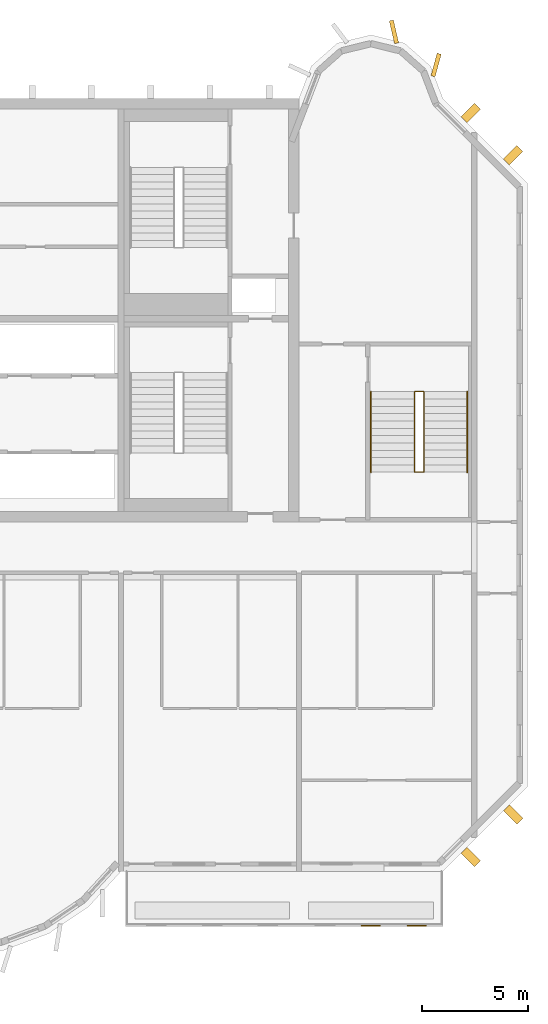
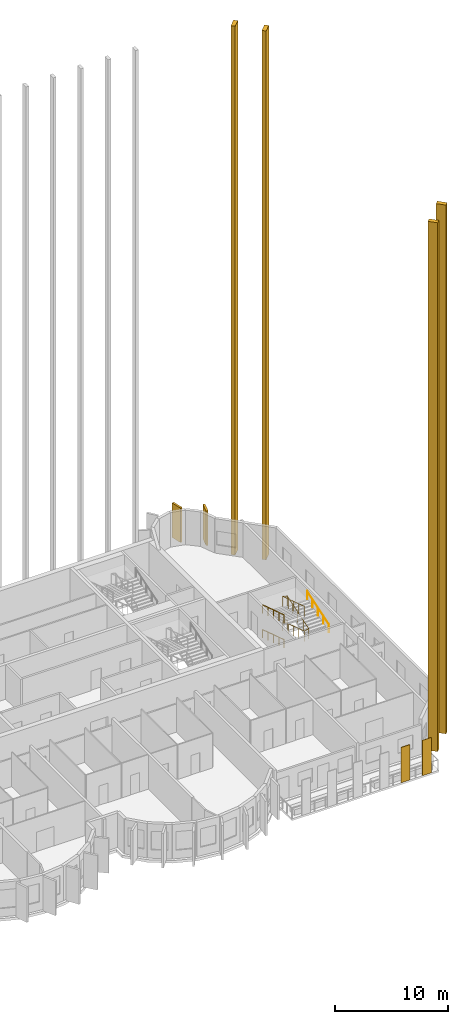
# One storey, part 12 of 13: 8 coverings, 4 railings.
"""IFC4 building model written with IfcOpenShell, lengths in metres."""

from ifc_helpers import new_model, si_unit, direction, frame, origin, origin_2d, place, context, subcontext, project, spatial, rectangle, circle, extrude, source, transform, mapped, material, layer, layer_set, material_profile, profile_set, type_object, element, save


model = new_model("IFC4")

# Units and contexts
model_context = context("Model", 3, precision=1e-05, world=origin(), true_north=direction((0.0, 1.0)))
body_context = subcontext(model_context, "Body", "Model", "MODEL_VIEW")
ifc_project = project(units=[si_unit("LENGTHUNIT", "METRE"), si_unit("AREAUNIT", "SQUARE_METRE"), si_unit("VOLUMEUNIT", "CUBIC_METRE"), si_unit("PLANEANGLEUNIT", "RADIAN"), si_unit("MASSUNIT", "GRAM", prefix="KILO")], contexts=[model_context])

# Site, building, storey
site_placement = place(None, origin())
site = spatial("IfcSite", under=ifc_project, at=site_placement, CompositionType="ELEMENT")
building_placement = place(site_placement, origin())
building = spatial("IfcBuilding", under=site, at=building_placement, Name="Vanashikhar Sky Hotel", CompositionType="ELEMENT")
storey_placement = place(building_placement, frame((0.0, 0.0, 277.699951171875)))
storey = spatial("IfcBuildingStorey", under=building, at=storey_placement, Name="L66", CompositionType="ELEMENT", Elevation=277.699951171875)

# Coverings
ifc_material_1 = material(Name="Terracotta", Category="masonry")
ifc_layer = layer(ifc_material_1, 0.06005859375)
ifc_layer_set = layer_set([ifc_layer], Name="Terracotta baguette screen")
covering_type_1 = type_object("IfcCoveringType", Name="Terracotta baguette screen", PredefinedType="CLADDING", material=ifc_layer_set)
shared_shape_1 = source(origin(), body_context, "Body", "SweptSolid", [
    extrude(rectangle(XDim=0.89990234375, YDim=0.06005859375, at=origin_2d()), origin(), (0.0, 0.0, 1.0), 3.800048828125),
])
for number, where, z_axis, x_axis, name in (
    (1, (79.0, 2.929931640625, -0.0498046875), (0.0, 0.0, 1.0), (1.0, 0.0, 0.0), "Terracotta screen"),
    (2, (81.166748046875, 2.929931640625, -0.0498046875), (0.0, 0.0, 1.0), (1.0, 0.0, 0.0), "Terracotta screen"),
):
    element("IfcCovering", number, at=place(storey_placement, frame(where, z_axis=z_axis, x_axis=x_axis)), inside=storey, type_object=covering_type_1, Name=name, PredefinedType="CLADDING", context=body_context, shape_type="MappedRepresentation", body=[
        mapped(shared_shape_1, transform((0.0, 0.0, 0.0), scale=1.0)),
    ])
ifc_material_2 = material(Name="Concrete M60 dark", Category="concrete")
ifc_material_profile_1 = material_profile(ifc_material_2, rectangle(XDim=1.10009765625, YDim=0.199951171875, at=origin_2d()))
ifc_profile_set_1 = profile_set([ifc_material_profile_1], Name="Rear lobe fin 1100 x 200")
covering_type_2 = type_object("IfcCoveringType", Name="Rear lobe fin 1100 x 200", PredefinedType="CLADDING", material=ifc_profile_set_1)
shared_shape_2 = source(origin(), body_context, "Body", "SweptSolid", [
    extrude(rectangle(XDim=1.10009765625, YDim=0.199951171875, at=origin_2d()), origin(), (0.0, 0.0, 1.0), 3.719970703125),
])
for number, where, z_axis, x_axis, name in (
    (3, (80.08984375, 45.1455078125, 0.0), (0.0, 0.0, 1.0), (-0.224644935864, 0.974440687159, 0.0), "Fin R2-3"),
    (4, (82.0791015625, 43.580078125, 0.0), (0.0, 0.0, 1.0), (0.262711264409, 0.964874495234, 0.0), "Fin R2-4"),
):
    element("IfcCovering", number, at=place(storey_placement, frame(where, z_axis=z_axis, x_axis=x_axis)), inside=storey, type_object=covering_type_2, Name=name, PredefinedType="CLADDING", context=body_context, shape_type="MappedRepresentation", body=[
        mapped(shared_shape_2, transform((0.0, 0.0, 0.0), scale=1.0)),
    ])
ifc_material_profile_2 = material_profile(ifc_material_2, rectangle(XDim=0.89990234375, YDim=0.39990234375, at=origin_2d()))
ifc_profile_set_2 = profile_set([ifc_material_profile_2], Name="Chamfer fin 900 x 400")
covering_type_3 = type_object("IfcCoveringType", Name="Chamfer fin 900 x 400", PredefinedType="CLADDING", material=ifc_profile_set_2)
shared_shape_3 = source(origin(), body_context, "Body", "SweptSolid", [
    extrude(rectangle(XDim=0.89990234375, YDim=0.39990234375, at=origin_2d()), origin(), (0.0, 0.0, 1.0), 57.0),
])
for number, where, z_axis, x_axis, name in (
    (5, (83.71826171875, 6.181884765625, -0.280029296875), (0.0, 0.0, 1.0), (0.707106781187, -0.707106781187, 0.0), "Chamfer fin"),
    (6, (85.71826171875, 8.181884765625, -0.280029296875), (0.0, 0.0, 1.0), (0.707106781187, -0.707106781187, 0.0), "Chamfer fin"),
    (7, (85.71826171875, 39.318115234375, -0.280029296875), (0.0, 0.0, 1.0), (0.707106781187, 0.707106781187, 0.0), "Chamfer fin"),
    (8, (83.71826171875, 41.318115234375, -0.280029296875), (0.0, 0.0, 1.0), (0.707106781187, 0.707106781187, 0.0), "Chamfer fin"),
):
    element("IfcCovering", number, at=place(storey_placement, frame(where, z_axis=z_axis, x_axis=x_axis)), inside=storey, type_object=covering_type_3, Name=name, PredefinedType="CLADDING", context=body_context, shape_type="MappedRepresentation", body=[
        mapped(shared_shape_3, transform((0.0, 0.0, 0.0), scale=1.0)),
    ])

# Railings
ifc_material_3 = material(Name="Steel S355", Category="steel")
railing_type_1 = type_object("IfcRailingType", Name="Stair guard 1100", PredefinedType="GUARDRAIL", material=ifc_material_3)
shared_shape_4 = source(origin(), body_context, "Body", "SweptSolid", [
    extrude(circle(Radius=0.02392578125, at=origin_2d()), frame((0.0, 0.0, 1.076171875), z_axis=(-0.970851010584, 0.0, 0.239683781777), x_axis=(0.0, -1.0, 0.0)), (0.0, 0.0, 1.0), 0.46337890625),
    extrude(circle(Radius=0.02392578125, at=origin_2d()), frame((-0.449951171875, 0.0, 1.18701171875), z_axis=(0.0, -0.951952165375, 0.306246754821), x_axis=(1.0, 0.0, 0.0)), (0.0, 0.0, 1.0), 3.99169921875),
    extrude(circle(Radius=0.02392578125, at=origin_2d()), frame((-0.449951171875, -3.7998046875, 2.40966796875), z_axis=(0.970851010584, 0.0, 0.239683781777), x_axis=(0.0, 1.0, 0.0)), (0.0, 0.0, 1.0), 0.46337890625),
    extrude(circle(Radius=0.02392578125, at=origin_2d()), frame((0.0, -3.7998046875, 2.5205078125), z_axis=(0.0, 0.951969995293, 0.306191325908), x_axis=(-1.0, 0.0, 0.0)), (0.0, 0.0, 1.0), 3.991455078125),
    extrude(circle(Radius=0.02392578125, at=origin_2d()), frame((0.0, 0.0, 3.74267578125), z_axis=(-0.970851010584, 0.0, 0.239683781777), x_axis=(0.0, -1.0, 0.0)), (0.0, 0.0, 1.0), 0.46337890625),
    extrude(circle(Radius=0.02392578125, at=origin_2d()), frame((-0.449951171875, 0.0, 3.85400390625), z_axis=(0.0, -0.951969995293, 0.306191325908), x_axis=(1.0, 0.0, 0.0)), (0.0, 0.0, 1.0), 3.991455078125),
    extrude(circle(Radius=0.02099609375, at=origin_2d()), origin(), (0.0, 0.0, 1.0), 1.052001953125),
    extrude(circle(Radius=0.02099609375, at=origin_2d()), frame((-0.449951171875, 0.0, 0.111083984375)), (0.0, 0.0, 1.0), 1.052001953125),
    extrude(circle(Radius=0.02099609375, at=origin_2d()), frame((-0.449951171875, -0.949951171875, 0.416748046875)), (0.0, 0.0, 1.0), 1.052001953125),
    extrude(circle(Radius=0.02099609375, at=origin_2d()), frame((-0.449951171875, -1.89990234375, 0.72216796875)), (0.0, 0.0, 1.0), 1.052001953125),
    extrude(circle(Radius=0.02099609375, at=origin_2d()), frame((-0.449951171875, -2.849853515625, 1.02783203125)), (0.0, 0.0, 1.0), 1.052001953125),
    extrude(circle(Radius=0.02099609375, at=origin_2d()), frame((-0.449951171875, -3.7998046875, 1.33349609375)), (0.0, 0.0, 1.0), 1.052001953125),
    extrude(circle(Radius=0.02099609375, at=origin_2d()), frame((0.0, -3.7998046875, 1.444580078125)), (0.0, 0.0, 1.0), 1.052001953125),
    extrude(circle(Radius=0.02099609375, at=origin_2d()), frame((0.0, -2.849853515625, 1.75)), (0.0, 0.0, 1.0), 1.052001953125),
    extrude(circle(Radius=0.02099609375, at=origin_2d()), frame((0.0, -1.89990234375, 2.0556640625)), (0.0, 0.0, 1.0), 1.052001953125),
    extrude(circle(Radius=0.02099609375, at=origin_2d()), frame((0.0, -0.949951171875, 2.361328125)), (0.0, 0.0, 1.0), 1.052001953125),
    extrude(circle(Radius=0.02099609375, at=origin_2d()), frame((0.0, 0.0, 2.666748046875)), (0.0, 0.0, 1.0), 1.052001953125),
    extrude(circle(Radius=0.02099609375, at=origin_2d()), frame((-0.449951171875, 0.0, 2.77783203125)), (0.0, 0.0, 1.0), 1.052001953125),
    extrude(circle(Radius=0.02099609375, at=origin_2d()), frame((-0.449951171875, -0.949951171875, 3.08349609375)), (0.0, 0.0, 1.0), 1.052001953125),
    extrude(circle(Radius=0.02099609375, at=origin_2d()), frame((-0.449951171875, -1.89990234375, 3.388916015625)), (0.0, 0.0, 1.0), 1.052001953125),
    extrude(circle(Radius=0.02099609375, at=origin_2d()), frame((-0.449951171875, -2.849853515625, 3.6943359375)), (0.0, 0.0, 1.0), 1.052001953125),
    extrude(circle(Radius=0.02099609375, at=origin_2d()), frame((-0.449951171875, -3.7998046875, 4.0)), (0.0, 0.0, 1.0), 1.052001953125),
])
railing_1_placement = place(storey_placement, frame((81.5, 28.14990234375, 0.0)))
element("IfcRailing", 9, at=railing_1_placement, inside=storey, type_object=railing_type_1, Name="Exit stair 4 guard", PredefinedType="GUARDRAIL", context=body_context, shape_type="MappedRepresentation", body=[
    mapped(shared_shape_4, transform((0.0, 0.0, 0.0), scale=1.0)),
])
railing_type_2 = type_object("IfcRailingType", Name="Stair handrail 900", PredefinedType="HANDRAIL", material=ifc_material_3)
shared_shape_5 = source(origin(), body_context, "Body", "SweptSolid", [
    extrude(circle(Radius=0.02392578125, at=origin_2d()), frame((0.0, 0.0, 0.8759765625), z_axis=(0.0, -0.951952165375, 0.306246754821), x_axis=(1.0, 0.0, 0.0)), (0.0, 0.0, 1.0), 3.99169921875),
    extrude(circle(Radius=0.02099609375, at=origin_2d()), origin(), (0.0, 0.0, 1.0), 0.851806640625),
    extrude(circle(Radius=0.02099609375, at=origin_2d()), frame((0.0, -0.949951171875, 0.3056640625)), (0.0, 0.0, 1.0), 0.851806640625),
    extrude(circle(Radius=0.02099609375, at=origin_2d()), frame((0.0, -1.89990234375, 0.611328125)), (0.0, 0.0, 1.0), 0.851806640625),
    extrude(circle(Radius=0.02099609375, at=origin_2d()), frame((0.0, -2.849853515625, 0.916748046875)), (0.0, 0.0, 1.0), 0.851806640625),
    extrude(circle(Radius=0.02099609375, at=origin_2d()), frame((0.0, -3.7998046875, 1.222412109375)), (0.0, 0.0, 1.0), 0.851806640625),
])
railing_2_placement = place(storey_placement, frame((79.0, 28.14990234375, 0.111083984375)))
element("IfcRailing", 10, at=railing_2_placement, inside=storey, type_object=railing_type_2, Name="Exit stair 4 handrail", PredefinedType="HANDRAIL", context=body_context, shape_type="MappedRepresentation", body=[
    mapped(shared_shape_5, transform((0.0, 0.0, 0.0), scale=1.0)),
])
shared_shape_6 = source(origin(), body_context, "Body", "SweptSolid", [
    extrude(circle(Radius=0.02392578125, at=origin_2d()), frame((0.0, 0.0, 0.8759765625), z_axis=(0.0, 0.951969995293, 0.306191325908), x_axis=(-1.0, 0.0, 0.0)), (0.0, 0.0, 1.0), 3.991455078125),
    extrude(circle(Radius=0.02099609375, at=origin_2d()), origin(), (0.0, 0.0, 1.0), 0.851806640625),
    extrude(circle(Radius=0.02099609375, at=origin_2d()), frame((0.0, 0.949951171875, 0.3056640625)), (0.0, 0.0, 1.0), 0.851806640625),
    extrude(circle(Radius=0.02099609375, at=origin_2d()), frame((0.0, 1.89990234375, 0.611083984375)), (0.0, 0.0, 1.0), 0.851806640625),
    extrude(circle(Radius=0.02099609375, at=origin_2d()), frame((0.0, 2.849853515625, 0.91650390625)), (0.0, 0.0, 1.0), 0.851806640625),
    extrude(circle(Radius=0.02099609375, at=origin_2d()), frame((0.0, 3.7998046875, 1.22216796875)), (0.0, 0.0, 1.0), 0.851806640625),
])
railing_3_placement = place(storey_placement, frame((83.550048828125, 24.35009765625, 1.444580078125)))
element("IfcRailing", 11, at=railing_3_placement, inside=storey, type_object=railing_type_2, Name="Exit stair 4 handrail", PredefinedType="HANDRAIL", context=body_context, shape_type="MappedRepresentation", body=[
    mapped(shared_shape_6, transform((0.0, 0.0, 0.0), scale=1.0)),
])
shared_shape_7 = source(origin(), body_context, "Body", "SweptSolid", [
    extrude(circle(Radius=0.02392578125, at=origin_2d()), frame((0.0, 0.0, 0.8759765625), z_axis=(0.0, -0.951969995293, 0.306191325908), x_axis=(1.0, 0.0, 0.0)), (0.0, 0.0, 1.0), 3.991455078125),
    extrude(circle(Radius=0.02099609375, at=origin_2d()), origin(), (0.0, 0.0, 1.0), 0.851806640625),
    extrude(circle(Radius=0.02099609375, at=origin_2d()), frame((0.0, -0.949951171875, 0.3056640625)), (0.0, 0.0, 1.0), 0.851806640625),
    extrude(circle(Radius=0.02099609375, at=origin_2d()), frame((0.0, -1.89990234375, 0.611083984375)), (0.0, 0.0, 1.0), 0.851806640625),
    extrude(circle(Radius=0.02099609375, at=origin_2d()), frame((0.0, -2.849853515625, 0.91650390625)), (0.0, 0.0, 1.0), 0.851806640625),
    extrude(circle(Radius=0.02099609375, at=origin_2d()), frame((0.0, -3.7998046875, 1.22216796875)), (0.0, 0.0, 1.0), 0.851806640625),
])
railing_4_placement = place(storey_placement, frame((79.0, 28.14990234375, 2.77783203125)))
element("IfcRailing", 12, at=railing_4_placement, inside=storey, type_object=railing_type_2, Name="Exit stair 4 handrail", PredefinedType="HANDRAIL", context=body_context, shape_type="MappedRepresentation", body=[
    mapped(shared_shape_7, transform((0.0, 0.0, 0.0), scale=1.0)),
])

save(model, "model.ifc")
